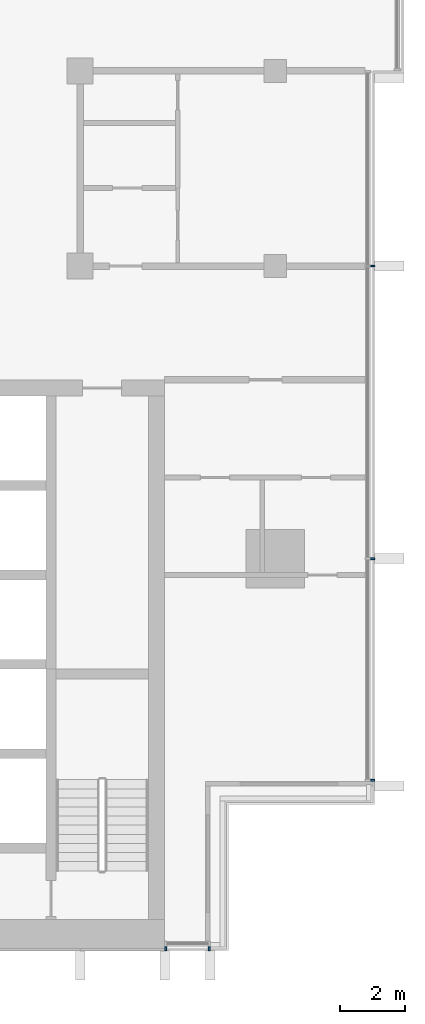
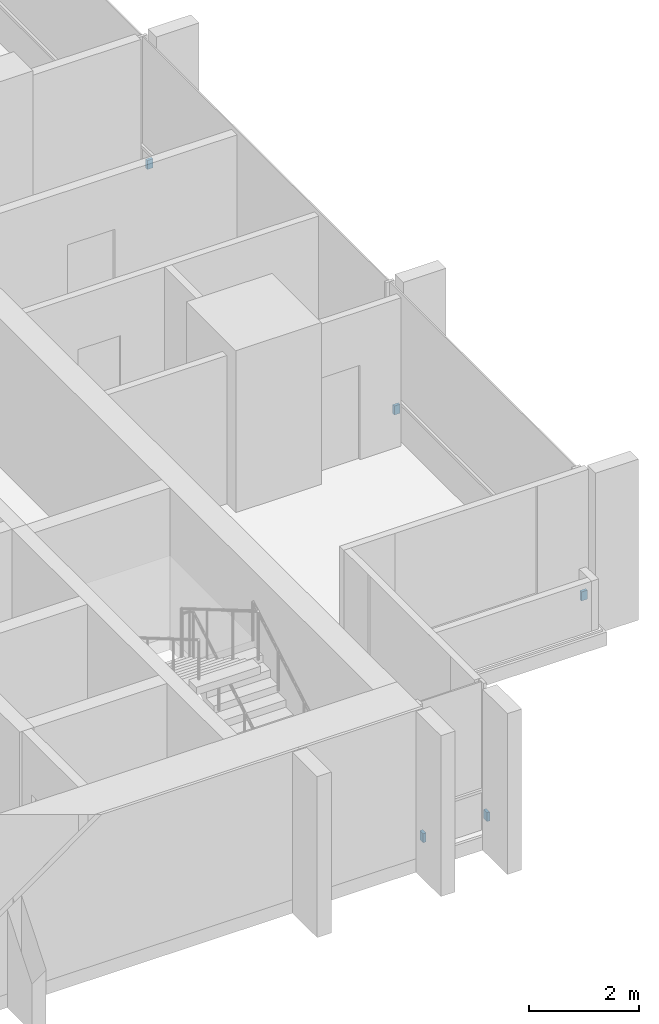
# One storey, part 13 of 16: 5 discrete accessories.
"""IFC4 building model written with IfcOpenShell, lengths in metres."""

from ifc_helpers import new_model, si_unit, direction, frame, origin, origin_2d, place, context, subcontext, project, spatial, rectangle, extrude, material, type_object, element, save


model = new_model("IFC4")

# Units and contexts
model_context = context("Model", 3, precision=1e-05, world=origin(), true_north=direction((0.0, 1.0)))
body_context = subcontext(model_context, "Body", "Model", "MODEL_VIEW")
ifc_project = project(units=[si_unit("LENGTHUNIT", "METRE"), si_unit("AREAUNIT", "SQUARE_METRE"), si_unit("VOLUMEUNIT", "CUBIC_METRE"), si_unit("PLANEANGLEUNIT", "RADIAN"), si_unit("MASSUNIT", "GRAM", prefix="KILO")], contexts=[model_context])

# Site, building, storey
site_placement = place(None, origin())
site = spatial("IfcSite", under=ifc_project, at=site_placement, CompositionType="ELEMENT")
building_placement = place(site_placement, origin())
building = spatial("IfcBuilding", under=site, at=building_placement, Name="Finial Court Residences", CompositionType="ELEMENT")
storey_placement = place(building_placement, frame((0.0, 0.0, 255.5)))
storey = spatial("IfcBuildingStorey", under=building, at=storey_placement, Name="L64", CompositionType="ELEMENT", Elevation=255.5)

# Discrete accessories
ifc_material = material(Name="Stainless steel 316", Category="steel")
discrete_accessory_type = type_object("IfcDiscreteAccessoryType", Name="Fin bracket, stainless steel 60 x 122 x 200", PredefinedType="BRACKET", material=ifc_material)
for number, where, z_axis, x_axis, name in (
    (1, (19.498779296875, -20.320068359375, 0.2998046875), (0.0, 0.0, 1.0), (1.0, 0.0, 0.0), "E-L64-FIN-E7-BRK"),
    (2, (19.498779296875, -13.5, 0.2998046875), (0.0, 0.0, 1.0), (1.0, 0.0, 0.0), "E-L64-FIN-E8-BRK"),
    (3, (19.498779296875, -4.5, 0.2998046875), (0.0, 0.0, 1.0), (1.0, 0.0, 0.0), "E-L64-FIN-E9-BRK"),
):
    element("IfcDiscreteAccessory", number, at=place(storey_placement, frame(where, z_axis=z_axis, x_axis=x_axis)), inside=storey, type_object=discrete_accessory_type, Name=name, PredefinedType="BRACKET", context=body_context, shape_type="SweptSolid", body=[
        extrude(rectangle(XDim=0.12255859375, YDim=0.06005859375, at=origin_2d()), origin(), (0.0, 0.0, 1.0), 0.199951171875),
    ])
for number, where, z_axis, x_axis, name in (
    (4, (13.1298828125, -25.498779296875, 0.2998046875), (0.0, 0.0, 1.0), (1.0, 0.0, 0.0), "E-L64-FIN-S19-BRK"),
    (5, (14.469970703125, -25.498779296875, 0.2998046875), (0.0, 0.0, 1.0), (1.0, 0.0, 0.0), "E-L64-FIN-S20-BRK"),
):
    element("IfcDiscreteAccessory", number, at=place(storey_placement, frame(where, z_axis=z_axis, x_axis=x_axis)), inside=storey, type_object=discrete_accessory_type, Name=name, PredefinedType="BRACKET", context=body_context, shape_type="SweptSolid", body=[
        extrude(rectangle(XDim=0.06005859375, YDim=0.12255859375, at=origin_2d()), origin(), (0.0, 0.0, 1.0), 0.199951171875),
    ])

save(model, "model.ifc")
